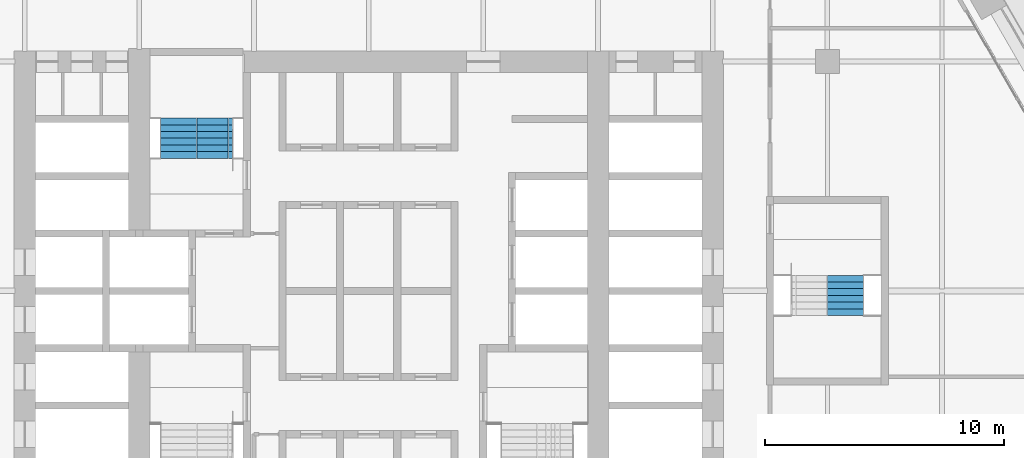
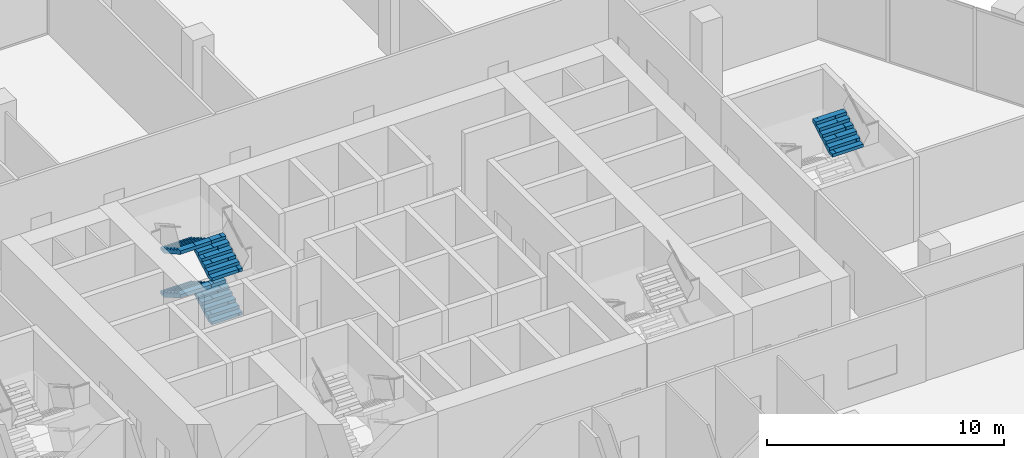
# One storey, part 20 of 22: 5 stair flights, 2 elements without a shape of their own.
"""IFC4 building model written with IfcOpenShell, lengths in metres."""

from ifc_helpers import new_model, si_unit, direction, frame, origin, place, context, subcontext, project, spatial, polyline, outline, extrude, material, type_object, element, aggregate, save


model = new_model("IFC4")

# Units and contexts
model_context = context("Model", 3, precision=1e-05, world=origin(), true_north=direction((0.0, 1.0)))
body_context = subcontext(model_context, "Body", "Model", "MODEL_VIEW")
ifc_project = project(units=[si_unit("LENGTHUNIT", "METRE"), si_unit("AREAUNIT", "SQUARE_METRE"), si_unit("VOLUMEUNIT", "CUBIC_METRE"), si_unit("PLANEANGLEUNIT", "RADIAN"), si_unit("MASSUNIT", "GRAM", prefix="KILO")], contexts=[model_context])

# Site, building, storey
site_placement = place(None, origin())
site = spatial("IfcSite", under=ifc_project, at=site_placement, CompositionType="ELEMENT")
building_placement = place(site_placement, origin())
building = spatial("IfcBuilding", under=site, at=building_placement, Name="Kolab Exchange Tower", CompositionType="ELEMENT")
storey_placement = place(building_placement, frame((0.0, 0.0, 82.39990234375)))
storey = spatial("IfcBuildingStorey", under=building, at=storey_placement, Name="L15", CompositionType="ELEMENT", Elevation=82.39990234375)

# Stair, stair flights
ifc_material = material(Name="Concrete C50/60", Category="concrete")
stair_type_1 = type_object("IfcStairType", Name="STAIR ST1 RISER 160.7", PredefinedType="DOUBLE_RETURN_STAIR", material=ifc_material)
stair_1_placement = place(storey_placement, origin())
stair_1 = element("IfcStair", 1, at=stair_1_placement, inside=storey, type_object=stair_type_1, Name="Stair 1", PredefinedType="DOUBLE_RETURN_STAIR")
stair_flight_type = type_object("IfcStairFlightType", Name="STAIR FLIGHT 1500 RISER 160.7", PredefinedType="STRAIGHT", material=ifc_material)
stair_flight_1_placement = place(storey_placement, frame((-6.43994140625, 5.550048828125, 0.0), z_axis=(0.0, 0.0, 1.0), x_axis=(0.0, 1.0, 0.0)))
stair_flight_1 = element("IfcStairFlight", 2, at=stair_flight_1_placement, type_object=stair_flight_type, Name="ST1 flight 1", NumberOfRisers=7, NumberOfTreads=6, PredefinedType="STRAIGHT", RiserHeight=0.160714286, TreadLength=0.28, context=body_context, shape_type="SweptSolid", body=[
    extrude(outline(polyline([(0.0, 0.0), (0.0, 0.16064453125), (0.280029296875, 0.16064453125), (0.280029296875, 0.321533203125), (0.56005859375, 0.321533203125), (0.56005859375, 0.482177734375), (0.840087890625, 0.482177734375), (0.840087890625, 0.642822265625), (1.1201171875, 0.642822265625), (1.1201171875, 0.803466796875), (1.39990234375, 0.803466796875), (1.39990234375, 0.96435546875), (1.679931640625, 0.96435546875), (1.679931640625, 1.125), (1.679931640625, 0.79150390625), (0.301025390625, 0.0), (0.0, 0.0)])), frame((0.0, 0.75, 0.0), z_axis=(0.0, -1.0, 0.0), x_axis=(1.0, 0.0, 0.0)), (0.0, 0.0, 1.0), 0.185791015625),
    extrude(outline(polyline([(0.0, 0.0), (0.0, 0.16064453125), (0.280029296875, 0.16064453125), (0.280029296875, 0.321533203125), (0.56005859375, 0.321533203125), (0.56005859375, 0.482177734375), (0.840087890625, 0.482177734375), (0.840087890625, 0.642822265625), (1.1201171875, 0.642822265625), (1.1201171875, 0.803466796875), (1.39990234375, 0.803466796875), (1.39990234375, 0.96435546875), (1.679931640625, 0.96435546875), (1.679931640625, 1.125), (1.679931640625, 0.79150390625), (0.301025390625, 0.0), (0.0, 0.0)])), frame((0.0, 0.562255859375, 0.0), z_axis=(0.0, -1.0, 0.0), x_axis=(1.0, 0.0, 0.0)), (0.0, 0.0, 1.0), 0.185791015625),
    extrude(outline(polyline([(0.0, 0.0), (0.0, 0.16064453125), (0.280029296875, 0.16064453125), (0.280029296875, 0.321533203125), (0.56005859375, 0.321533203125), (0.56005859375, 0.482177734375), (0.840087890625, 0.482177734375), (0.840087890625, 0.642822265625), (1.1201171875, 0.642822265625), (1.1201171875, 0.803466796875), (1.39990234375, 0.803466796875), (1.39990234375, 0.96435546875), (1.679931640625, 0.96435546875), (1.679931640625, 1.125), (1.679931640625, 0.79150390625), (0.301025390625, 0.0), (0.0, 0.0)])), frame((0.0, 0.37451171875, 0.0), z_axis=(0.0, -1.0, 0.0), x_axis=(1.0, 0.0, 0.0)), (0.0, 0.0, 1.0), 0.185791015625),
    extrude(outline(polyline([(0.0, 0.0), (0.0, 0.16064453125), (0.280029296875, 0.16064453125), (0.280029296875, 0.321533203125), (0.56005859375, 0.321533203125), (0.56005859375, 0.482177734375), (0.840087890625, 0.482177734375), (0.840087890625, 0.642822265625), (1.1201171875, 0.642822265625), (1.1201171875, 0.803466796875), (1.39990234375, 0.803466796875), (1.39990234375, 0.96435546875), (1.679931640625, 0.96435546875), (1.679931640625, 1.125), (1.679931640625, 0.79150390625), (0.301025390625, 0.0), (0.0, 0.0)])), frame((0.0, 0.186767578125, 0.0), z_axis=(0.0, -1.0, 0.0), x_axis=(1.0, 0.0, 0.0)), (0.0, 0.0, 1.0), 0.185791015625),
    extrude(outline(polyline([(0.0, 0.0), (0.0, 0.16064453125), (0.280029296875, 0.16064453125), (0.280029296875, 0.321533203125), (0.56005859375, 0.321533203125), (0.56005859375, 0.482177734375), (0.840087890625, 0.482177734375), (0.840087890625, 0.642822265625), (1.1201171875, 0.642822265625), (1.1201171875, 0.803466796875), (1.39990234375, 0.803466796875), (1.39990234375, 0.96435546875), (1.679931640625, 0.96435546875), (1.679931640625, 1.125), (1.679931640625, 0.79150390625), (0.301025390625, 0.0), (0.0, 0.0)])), frame((0.0, -0.0009765625, 0.0), z_axis=(0.0, -1.0, 0.0), x_axis=(1.0, 0.0, 0.0)), (0.0, 0.0, 1.0), 0.185791015625),
    extrude(outline(polyline([(0.0, 0.0), (0.0, 0.16064453125), (0.280029296875, 0.16064453125), (0.280029296875, 0.321533203125), (0.56005859375, 0.321533203125), (0.56005859375, 0.482177734375), (0.840087890625, 0.482177734375), (0.840087890625, 0.642822265625), (1.1201171875, 0.642822265625), (1.1201171875, 0.803466796875), (1.39990234375, 0.803466796875), (1.39990234375, 0.96435546875), (1.679931640625, 0.96435546875), (1.679931640625, 1.125), (1.679931640625, 0.79150390625), (0.301025390625, 0.0), (0.0, 0.0)])), frame((0.0, -0.188720703125, 0.0), z_axis=(0.0, -1.0, 0.0), x_axis=(1.0, 0.0, 0.0)), (0.0, 0.0, 1.0), 0.185791015625),
    extrude(outline(polyline([(0.0, 0.0), (0.0, 0.16064453125), (0.280029296875, 0.16064453125), (0.280029296875, 0.321533203125), (0.56005859375, 0.321533203125), (0.56005859375, 0.482177734375), (0.840087890625, 0.482177734375), (0.840087890625, 0.642822265625), (1.1201171875, 0.642822265625), (1.1201171875, 0.803466796875), (1.39990234375, 0.803466796875), (1.39990234375, 0.96435546875), (1.679931640625, 0.96435546875), (1.679931640625, 1.125), (1.679931640625, 0.79150390625), (0.301025390625, 0.0), (0.0, 0.0)])), frame((0.0, -0.37646484375, 0.0), z_axis=(0.0, -1.0, 0.0), x_axis=(1.0, 0.0, 0.0)), (0.0, 0.0, 1.0), 0.185791015625),
    extrude(outline(polyline([(0.0, 0.0), (0.0, 0.16064453125), (0.280029296875, 0.16064453125), (0.280029296875, 0.321533203125), (0.56005859375, 0.321533203125), (0.56005859375, 0.482177734375), (0.840087890625, 0.482177734375), (0.840087890625, 0.642822265625), (1.1201171875, 0.642822265625), (1.1201171875, 0.803466796875), (1.39990234375, 0.803466796875), (1.39990234375, 0.96435546875), (1.679931640625, 0.96435546875), (1.679931640625, 1.125), (1.679931640625, 0.79150390625), (0.301025390625, 0.0), (0.0, 0.0)])), frame((0.0, -0.564208984375, 0.0), z_axis=(0.0, -1.0, 0.0), x_axis=(1.0, 0.0, 0.0)), (0.0, 0.0, 1.0), 0.185791015625),
])
stair_flight_2_placement = place(storey_placement, frame((-7.9599609375, 7.22998046875, 1.125), z_axis=(0.0, 0.0, 1.0), x_axis=(0.0, -1.0, 0.0)))
stair_flight_2 = element("IfcStairFlight", 3, at=stair_flight_2_placement, type_object=stair_flight_type, Name="ST1 flight 2", NumberOfRisers=7, NumberOfTreads=6, PredefinedType="STRAIGHT", RiserHeight=0.160714286, TreadLength=0.28, context=body_context, shape_type="SweptSolid", body=[
    extrude(outline(polyline([(0.0, 0.0), (0.0, 0.16064453125), (0.280029296875, 0.16064453125), (0.280029296875, 0.321533203125), (0.56005859375, 0.321533203125), (0.56005859375, 0.482177734375), (0.840087890625, 0.482177734375), (0.840087890625, 0.642822265625), (1.1201171875, 0.642822265625), (1.1201171875, 0.803466796875), (1.39990234375, 0.803466796875), (1.39990234375, 0.96435546875), (1.679931640625, 0.96435546875), (1.679931640625, 1.125), (1.679931640625, 0.79150390625), (0.301025390625, 0.0), (0.0, 0.0)])), frame((0.0, 0.75, 0.0), z_axis=(0.0, -1.0, 0.0), x_axis=(1.0, 0.0, 0.0)), (0.0, 0.0, 1.0), 0.185791015625),
    extrude(outline(polyline([(0.0, 0.0), (0.0, 0.16064453125), (0.280029296875, 0.16064453125), (0.280029296875, 0.321533203125), (0.56005859375, 0.321533203125), (0.56005859375, 0.482177734375), (0.840087890625, 0.482177734375), (0.840087890625, 0.642822265625), (1.1201171875, 0.642822265625), (1.1201171875, 0.803466796875), (1.39990234375, 0.803466796875), (1.39990234375, 0.96435546875), (1.679931640625, 0.96435546875), (1.679931640625, 1.125), (1.679931640625, 0.79150390625), (0.301025390625, 0.0), (0.0, 0.0)])), frame((0.0, 0.562255859375, 0.0), z_axis=(0.0, -1.0, 0.0), x_axis=(1.0, 0.0, 0.0)), (0.0, 0.0, 1.0), 0.185791015625),
    extrude(outline(polyline([(0.0, 0.0), (0.0, 0.16064453125), (0.280029296875, 0.16064453125), (0.280029296875, 0.321533203125), (0.56005859375, 0.321533203125), (0.56005859375, 0.482177734375), (0.840087890625, 0.482177734375), (0.840087890625, 0.642822265625), (1.1201171875, 0.642822265625), (1.1201171875, 0.803466796875), (1.39990234375, 0.803466796875), (1.39990234375, 0.96435546875), (1.679931640625, 0.96435546875), (1.679931640625, 1.125), (1.679931640625, 0.79150390625), (0.301025390625, 0.0), (0.0, 0.0)])), frame((0.0, 0.37451171875, 0.0), z_axis=(0.0, -1.0, 0.0), x_axis=(1.0, 0.0, 0.0)), (0.0, 0.0, 1.0), 0.185791015625),
    extrude(outline(polyline([(0.0, 0.0), (0.0, 0.16064453125), (0.280029296875, 0.16064453125), (0.280029296875, 0.321533203125), (0.56005859375, 0.321533203125), (0.56005859375, 0.482177734375), (0.840087890625, 0.482177734375), (0.840087890625, 0.642822265625), (1.1201171875, 0.642822265625), (1.1201171875, 0.803466796875), (1.39990234375, 0.803466796875), (1.39990234375, 0.96435546875), (1.679931640625, 0.96435546875), (1.679931640625, 1.125), (1.679931640625, 0.79150390625), (0.301025390625, 0.0), (0.0, 0.0)])), frame((0.0, 0.186767578125, 0.0), z_axis=(0.0, -1.0, 0.0), x_axis=(1.0, 0.0, 0.0)), (0.0, 0.0, 1.0), 0.185791015625),
    extrude(outline(polyline([(0.0, 0.0), (0.0, 0.16064453125), (0.280029296875, 0.16064453125), (0.280029296875, 0.321533203125), (0.56005859375, 0.321533203125), (0.56005859375, 0.482177734375), (0.840087890625, 0.482177734375), (0.840087890625, 0.642822265625), (1.1201171875, 0.642822265625), (1.1201171875, 0.803466796875), (1.39990234375, 0.803466796875), (1.39990234375, 0.96435546875), (1.679931640625, 0.96435546875), (1.679931640625, 1.125), (1.679931640625, 0.79150390625), (0.301025390625, 0.0), (0.0, 0.0)])), frame((0.0, -0.0009765625, 0.0), z_axis=(0.0, -1.0, 0.0), x_axis=(1.0, 0.0, 0.0)), (0.0, 0.0, 1.0), 0.185791015625),
    extrude(outline(polyline([(0.0, 0.0), (0.0, 0.16064453125), (0.280029296875, 0.16064453125), (0.280029296875, 0.321533203125), (0.56005859375, 0.321533203125), (0.56005859375, 0.482177734375), (0.840087890625, 0.482177734375), (0.840087890625, 0.642822265625), (1.1201171875, 0.642822265625), (1.1201171875, 0.803466796875), (1.39990234375, 0.803466796875), (1.39990234375, 0.96435546875), (1.679931640625, 0.96435546875), (1.679931640625, 1.125), (1.679931640625, 0.79150390625), (0.301025390625, 0.0), (0.0, 0.0)])), frame((0.0, -0.188720703125, 0.0), z_axis=(0.0, -1.0, 0.0), x_axis=(1.0, 0.0, 0.0)), (0.0, 0.0, 1.0), 0.185791015625),
    extrude(outline(polyline([(0.0, 0.0), (0.0, 0.16064453125), (0.280029296875, 0.16064453125), (0.280029296875, 0.321533203125), (0.56005859375, 0.321533203125), (0.56005859375, 0.482177734375), (0.840087890625, 0.482177734375), (0.840087890625, 0.642822265625), (1.1201171875, 0.642822265625), (1.1201171875, 0.803466796875), (1.39990234375, 0.803466796875), (1.39990234375, 0.96435546875), (1.679931640625, 0.96435546875), (1.679931640625, 1.125), (1.679931640625, 0.79150390625), (0.301025390625, 0.0), (0.0, 0.0)])), frame((0.0, -0.37646484375, 0.0), z_axis=(0.0, -1.0, 0.0), x_axis=(1.0, 0.0, 0.0)), (0.0, 0.0, 1.0), 0.185791015625),
    extrude(outline(polyline([(0.0, 0.0), (0.0, 0.16064453125), (0.280029296875, 0.16064453125), (0.280029296875, 0.321533203125), (0.56005859375, 0.321533203125), (0.56005859375, 0.482177734375), (0.840087890625, 0.482177734375), (0.840087890625, 0.642822265625), (1.1201171875, 0.642822265625), (1.1201171875, 0.803466796875), (1.39990234375, 0.803466796875), (1.39990234375, 0.96435546875), (1.679931640625, 0.96435546875), (1.679931640625, 1.125), (1.679931640625, 0.79150390625), (0.301025390625, 0.0), (0.0, 0.0)])), frame((0.0, -0.564208984375, 0.0), z_axis=(0.0, -1.0, 0.0), x_axis=(1.0, 0.0, 0.0)), (0.0, 0.0, 1.0), 0.185791015625),
])
stair_flight_3_placement = place(storey_placement, frame((-6.43994140625, 5.550048828125, 2.25), z_axis=(0.0, 0.0, 1.0), x_axis=(0.0, 1.0, 0.0)))
stair_flight_3 = element("IfcStairFlight", 4, at=stair_flight_3_placement, type_object=stair_flight_type, Name="ST1 flight 3", NumberOfRisers=7, NumberOfTreads=6, PredefinedType="STRAIGHT", RiserHeight=0.160714286, TreadLength=0.28, context=body_context, shape_type="SweptSolid", body=[
    extrude(outline(polyline([(0.0, 0.0), (0.0, 0.16064453125), (0.280029296875, 0.16064453125), (0.280029296875, 0.321533203125), (0.56005859375, 0.321533203125), (0.56005859375, 0.482177734375), (0.840087890625, 0.482177734375), (0.840087890625, 0.642822265625), (1.1201171875, 0.642822265625), (1.1201171875, 0.803466796875), (1.39990234375, 0.803466796875), (1.39990234375, 0.96435546875), (1.679931640625, 0.96435546875), (1.679931640625, 1.125), (1.679931640625, 0.79150390625), (0.301025390625, 0.0), (0.0, 0.0)])), frame((0.0, 0.75, 0.0), z_axis=(0.0, -1.0, 0.0), x_axis=(1.0, 0.0, 0.0)), (0.0, 0.0, 1.0), 0.185791015625),
    extrude(outline(polyline([(0.0, 0.0), (0.0, 0.16064453125), (0.280029296875, 0.16064453125), (0.280029296875, 0.321533203125), (0.56005859375, 0.321533203125), (0.56005859375, 0.482177734375), (0.840087890625, 0.482177734375), (0.840087890625, 0.642822265625), (1.1201171875, 0.642822265625), (1.1201171875, 0.803466796875), (1.39990234375, 0.803466796875), (1.39990234375, 0.96435546875), (1.679931640625, 0.96435546875), (1.679931640625, 1.125), (1.679931640625, 0.79150390625), (0.301025390625, 0.0), (0.0, 0.0)])), frame((0.0, 0.562255859375, 0.0), z_axis=(0.0, -1.0, 0.0), x_axis=(1.0, 0.0, 0.0)), (0.0, 0.0, 1.0), 0.185791015625),
    extrude(outline(polyline([(0.0, 0.0), (0.0, 0.16064453125), (0.280029296875, 0.16064453125), (0.280029296875, 0.321533203125), (0.56005859375, 0.321533203125), (0.56005859375, 0.482177734375), (0.840087890625, 0.482177734375), (0.840087890625, 0.642822265625), (1.1201171875, 0.642822265625), (1.1201171875, 0.803466796875), (1.39990234375, 0.803466796875), (1.39990234375, 0.96435546875), (1.679931640625, 0.96435546875), (1.679931640625, 1.125), (1.679931640625, 0.79150390625), (0.301025390625, 0.0), (0.0, 0.0)])), frame((0.0, 0.37451171875, 0.0), z_axis=(0.0, -1.0, 0.0), x_axis=(1.0, 0.0, 0.0)), (0.0, 0.0, 1.0), 0.185791015625),
    extrude(outline(polyline([(0.0, 0.0), (0.0, 0.16064453125), (0.280029296875, 0.16064453125), (0.280029296875, 0.321533203125), (0.56005859375, 0.321533203125), (0.56005859375, 0.482177734375), (0.840087890625, 0.482177734375), (0.840087890625, 0.642822265625), (1.1201171875, 0.642822265625), (1.1201171875, 0.803466796875), (1.39990234375, 0.803466796875), (1.39990234375, 0.96435546875), (1.679931640625, 0.96435546875), (1.679931640625, 1.125), (1.679931640625, 0.79150390625), (0.301025390625, 0.0), (0.0, 0.0)])), frame((0.0, 0.186767578125, 0.0), z_axis=(0.0, -1.0, 0.0), x_axis=(1.0, 0.0, 0.0)), (0.0, 0.0, 1.0), 0.185791015625),
    extrude(outline(polyline([(0.0, 0.0), (0.0, 0.16064453125), (0.280029296875, 0.16064453125), (0.280029296875, 0.321533203125), (0.56005859375, 0.321533203125), (0.56005859375, 0.482177734375), (0.840087890625, 0.482177734375), (0.840087890625, 0.642822265625), (1.1201171875, 0.642822265625), (1.1201171875, 0.803466796875), (1.39990234375, 0.803466796875), (1.39990234375, 0.96435546875), (1.679931640625, 0.96435546875), (1.679931640625, 1.125), (1.679931640625, 0.79150390625), (0.301025390625, 0.0), (0.0, 0.0)])), frame((0.0, -0.0009765625, 0.0), z_axis=(0.0, -1.0, 0.0), x_axis=(1.0, 0.0, 0.0)), (0.0, 0.0, 1.0), 0.185791015625),
    extrude(outline(polyline([(0.0, 0.0), (0.0, 0.16064453125), (0.280029296875, 0.16064453125), (0.280029296875, 0.321533203125), (0.56005859375, 0.321533203125), (0.56005859375, 0.482177734375), (0.840087890625, 0.482177734375), (0.840087890625, 0.642822265625), (1.1201171875, 0.642822265625), (1.1201171875, 0.803466796875), (1.39990234375, 0.803466796875), (1.39990234375, 0.96435546875), (1.679931640625, 0.96435546875), (1.679931640625, 1.125), (1.679931640625, 0.79150390625), (0.301025390625, 0.0), (0.0, 0.0)])), frame((0.0, -0.188720703125, 0.0), z_axis=(0.0, -1.0, 0.0), x_axis=(1.0, 0.0, 0.0)), (0.0, 0.0, 1.0), 0.185791015625),
    extrude(outline(polyline([(0.0, 0.0), (0.0, 0.16064453125), (0.280029296875, 0.16064453125), (0.280029296875, 0.321533203125), (0.56005859375, 0.321533203125), (0.56005859375, 0.482177734375), (0.840087890625, 0.482177734375), (0.840087890625, 0.642822265625), (1.1201171875, 0.642822265625), (1.1201171875, 0.803466796875), (1.39990234375, 0.803466796875), (1.39990234375, 0.96435546875), (1.679931640625, 0.96435546875), (1.679931640625, 1.125), (1.679931640625, 0.79150390625), (0.301025390625, 0.0), (0.0, 0.0)])), frame((0.0, -0.37646484375, 0.0), z_axis=(0.0, -1.0, 0.0), x_axis=(1.0, 0.0, 0.0)), (0.0, 0.0, 1.0), 0.185791015625),
    extrude(outline(polyline([(0.0, 0.0), (0.0, 0.16064453125), (0.280029296875, 0.16064453125), (0.280029296875, 0.321533203125), (0.56005859375, 0.321533203125), (0.56005859375, 0.482177734375), (0.840087890625, 0.482177734375), (0.840087890625, 0.642822265625), (1.1201171875, 0.642822265625), (1.1201171875, 0.803466796875), (1.39990234375, 0.803466796875), (1.39990234375, 0.96435546875), (1.679931640625, 0.96435546875), (1.679931640625, 1.125), (1.679931640625, 0.79150390625), (0.301025390625, 0.0), (0.0, 0.0)])), frame((0.0, -0.564208984375, 0.0), z_axis=(0.0, -1.0, 0.0), x_axis=(1.0, 0.0, 0.0)), (0.0, 0.0, 1.0), 0.185791015625),
])
stair_flight_4_placement = place(storey_placement, frame((-7.9599609375, 7.22998046875, 3.375), z_axis=(0.0, 0.0, 1.0), x_axis=(0.0, -1.0, 0.0)))
stair_flight_4 = element("IfcStairFlight", 5, at=stair_flight_4_placement, type_object=stair_flight_type, Name="ST1 flight 4", NumberOfRisers=7, NumberOfTreads=6, PredefinedType="STRAIGHT", RiserHeight=0.160714286, TreadLength=0.28, context=body_context, shape_type="SweptSolid", body=[
    extrude(outline(polyline([(0.0, 0.0), (0.0, 0.16064453125), (0.280029296875, 0.16064453125), (0.280029296875, 0.321533203125), (0.56005859375, 0.321533203125), (0.56005859375, 0.482177734375), (0.840087890625, 0.482177734375), (0.840087890625, 0.642822265625), (1.1201171875, 0.642822265625), (1.1201171875, 0.803466796875), (1.39990234375, 0.803466796875), (1.39990234375, 0.96435546875), (1.679931640625, 0.96435546875), (1.679931640625, 1.125), (1.679931640625, 0.79150390625), (0.301025390625, 0.0), (0.0, 0.0)])), frame((0.0, 0.75, 0.0), z_axis=(0.0, -1.0, 0.0), x_axis=(1.0, 0.0, 0.0)), (0.0, 0.0, 1.0), 0.185791015625),
    extrude(outline(polyline([(0.0, 0.0), (0.0, 0.16064453125), (0.280029296875, 0.16064453125), (0.280029296875, 0.321533203125), (0.56005859375, 0.321533203125), (0.56005859375, 0.482177734375), (0.840087890625, 0.482177734375), (0.840087890625, 0.642822265625), (1.1201171875, 0.642822265625), (1.1201171875, 0.803466796875), (1.39990234375, 0.803466796875), (1.39990234375, 0.96435546875), (1.679931640625, 0.96435546875), (1.679931640625, 1.125), (1.679931640625, 0.79150390625), (0.301025390625, 0.0), (0.0, 0.0)])), frame((0.0, 0.562255859375, 0.0), z_axis=(0.0, -1.0, 0.0), x_axis=(1.0, 0.0, 0.0)), (0.0, 0.0, 1.0), 0.185791015625),
    extrude(outline(polyline([(0.0, 0.0), (0.0, 0.16064453125), (0.280029296875, 0.16064453125), (0.280029296875, 0.321533203125), (0.56005859375, 0.321533203125), (0.56005859375, 0.482177734375), (0.840087890625, 0.482177734375), (0.840087890625, 0.642822265625), (1.1201171875, 0.642822265625), (1.1201171875, 0.803466796875), (1.39990234375, 0.803466796875), (1.39990234375, 0.96435546875), (1.679931640625, 0.96435546875), (1.679931640625, 1.125), (1.679931640625, 0.79150390625), (0.301025390625, 0.0), (0.0, 0.0)])), frame((0.0, 0.37451171875, 0.0), z_axis=(0.0, -1.0, 0.0), x_axis=(1.0, 0.0, 0.0)), (0.0, 0.0, 1.0), 0.185791015625),
    extrude(outline(polyline([(0.0, 0.0), (0.0, 0.16064453125), (0.280029296875, 0.16064453125), (0.280029296875, 0.321533203125), (0.56005859375, 0.321533203125), (0.56005859375, 0.482177734375), (0.840087890625, 0.482177734375), (0.840087890625, 0.642822265625), (1.1201171875, 0.642822265625), (1.1201171875, 0.803466796875), (1.39990234375, 0.803466796875), (1.39990234375, 0.96435546875), (1.679931640625, 0.96435546875), (1.679931640625, 1.125), (1.679931640625, 0.79150390625), (0.301025390625, 0.0), (0.0, 0.0)])), frame((0.0, 0.186767578125, 0.0), z_axis=(0.0, -1.0, 0.0), x_axis=(1.0, 0.0, 0.0)), (0.0, 0.0, 1.0), 0.185791015625),
    extrude(outline(polyline([(0.0, 0.0), (0.0, 0.16064453125), (0.280029296875, 0.16064453125), (0.280029296875, 0.321533203125), (0.56005859375, 0.321533203125), (0.56005859375, 0.482177734375), (0.840087890625, 0.482177734375), (0.840087890625, 0.642822265625), (1.1201171875, 0.642822265625), (1.1201171875, 0.803466796875), (1.39990234375, 0.803466796875), (1.39990234375, 0.96435546875), (1.679931640625, 0.96435546875), (1.679931640625, 1.125), (1.679931640625, 0.79150390625), (0.301025390625, 0.0), (0.0, 0.0)])), frame((0.0, -0.0009765625, 0.0), z_axis=(0.0, -1.0, 0.0), x_axis=(1.0, 0.0, 0.0)), (0.0, 0.0, 1.0), 0.185791015625),
    extrude(outline(polyline([(0.0, 0.0), (0.0, 0.16064453125), (0.280029296875, 0.16064453125), (0.280029296875, 0.321533203125), (0.56005859375, 0.321533203125), (0.56005859375, 0.482177734375), (0.840087890625, 0.482177734375), (0.840087890625, 0.642822265625), (1.1201171875, 0.642822265625), (1.1201171875, 0.803466796875), (1.39990234375, 0.803466796875), (1.39990234375, 0.96435546875), (1.679931640625, 0.96435546875), (1.679931640625, 1.125), (1.679931640625, 0.79150390625), (0.301025390625, 0.0), (0.0, 0.0)])), frame((0.0, -0.188720703125, 0.0), z_axis=(0.0, -1.0, 0.0), x_axis=(1.0, 0.0, 0.0)), (0.0, 0.0, 1.0), 0.185791015625),
    extrude(outline(polyline([(0.0, 0.0), (0.0, 0.16064453125), (0.280029296875, 0.16064453125), (0.280029296875, 0.321533203125), (0.56005859375, 0.321533203125), (0.56005859375, 0.482177734375), (0.840087890625, 0.482177734375), (0.840087890625, 0.642822265625), (1.1201171875, 0.642822265625), (1.1201171875, 0.803466796875), (1.39990234375, 0.803466796875), (1.39990234375, 0.96435546875), (1.679931640625, 0.96435546875), (1.679931640625, 1.125), (1.679931640625, 0.79150390625), (0.301025390625, 0.0), (0.0, 0.0)])), frame((0.0, -0.37646484375, 0.0), z_axis=(0.0, -1.0, 0.0), x_axis=(1.0, 0.0, 0.0)), (0.0, 0.0, 1.0), 0.185791015625),
    extrude(outline(polyline([(0.0, 0.0), (0.0, 0.16064453125), (0.280029296875, 0.16064453125), (0.280029296875, 0.321533203125), (0.56005859375, 0.321533203125), (0.56005859375, 0.482177734375), (0.840087890625, 0.482177734375), (0.840087890625, 0.642822265625), (1.1201171875, 0.642822265625), (1.1201171875, 0.803466796875), (1.39990234375, 0.803466796875), (1.39990234375, 0.96435546875), (1.679931640625, 0.96435546875), (1.679931640625, 1.125), (1.679931640625, 0.79150390625), (0.301025390625, 0.0), (0.0, 0.0)])), frame((0.0, -0.564208984375, 0.0), z_axis=(0.0, -1.0, 0.0), x_axis=(1.0, 0.0, 0.0)), (0.0, 0.0, 1.0), 0.185791015625),
])
aggregate(stair_1, [stair_flight_1, stair_flight_2, stair_flight_3, stair_flight_4])

# Stair, stair flight
stair_type_2 = type_object("IfcStairType", Name="STAIR ST4 RISER 160.7", PredefinedType="DOUBLE_RETURN_STAIR", material=ifc_material)
stair_2_placement = place(storey_placement, origin())
stair_2 = element("IfcStair", 6, at=stair_2_placement, inside=storey, type_object=stair_type_2, Name="Stair 4", PredefinedType="DOUBLE_RETURN_STAIR")
stair_flight_5_placement = place(storey_placement, frame((19.9599609375, -1.030029296875, 3.375), z_axis=(0.0, 0.0, 1.0), x_axis=(0.0, 1.0, 0.0)))
stair_flight_5 = element("IfcStairFlight", 7, at=stair_flight_5_placement, type_object=stair_flight_type, Name="ST4 flight 4", NumberOfRisers=7, NumberOfTreads=6, PredefinedType="STRAIGHT", RiserHeight=0.160714286, TreadLength=0.28, context=body_context, shape_type="SweptSolid", body=[
    extrude(outline(polyline([(0.0, 0.0), (0.0, 0.16064453125), (0.280029296875, 0.16064453125), (0.280029296875, 0.321533203125), (0.56005859375, 0.321533203125), (0.56005859375, 0.482177734375), (0.840087890625, 0.482177734375), (0.840087890625, 0.642822265625), (1.1201171875, 0.642822265625), (1.1201171875, 0.803466796875), (1.39990234375, 0.803466796875), (1.39990234375, 0.96435546875), (1.679931640625, 0.96435546875), (1.679931640625, 1.125), (1.679931640625, 0.79150390625), (0.301025390625, 0.0), (0.0, 0.0)])), frame((0.0, 0.75, 0.0), z_axis=(0.0, -1.0, 0.0), x_axis=(1.0, 0.0, 0.0)), (0.0, 0.0, 1.0), 0.185791015625),
    extrude(outline(polyline([(0.0, 0.0), (0.0, 0.16064453125), (0.280029296875, 0.16064453125), (0.280029296875, 0.321533203125), (0.56005859375, 0.321533203125), (0.56005859375, 0.482177734375), (0.840087890625, 0.482177734375), (0.840087890625, 0.642822265625), (1.1201171875, 0.642822265625), (1.1201171875, 0.803466796875), (1.39990234375, 0.803466796875), (1.39990234375, 0.96435546875), (1.679931640625, 0.96435546875), (1.679931640625, 1.125), (1.679931640625, 0.79150390625), (0.301025390625, 0.0), (0.0, 0.0)])), frame((0.0, 0.562255859375, 0.0), z_axis=(0.0, -1.0, 0.0), x_axis=(1.0, 0.0, 0.0)), (0.0, 0.0, 1.0), 0.185791015625),
    extrude(outline(polyline([(0.0, 0.0), (0.0, 0.16064453125), (0.280029296875, 0.16064453125), (0.280029296875, 0.321533203125), (0.56005859375, 0.321533203125), (0.56005859375, 0.482177734375), (0.840087890625, 0.482177734375), (0.840087890625, 0.642822265625), (1.1201171875, 0.642822265625), (1.1201171875, 0.803466796875), (1.39990234375, 0.803466796875), (1.39990234375, 0.96435546875), (1.679931640625, 0.96435546875), (1.679931640625, 1.125), (1.679931640625, 0.79150390625), (0.301025390625, 0.0), (0.0, 0.0)])), frame((0.0, 0.37451171875, 0.0), z_axis=(0.0, -1.0, 0.0), x_axis=(1.0, 0.0, 0.0)), (0.0, 0.0, 1.0), 0.185791015625),
    extrude(outline(polyline([(0.0, 0.0), (0.0, 0.16064453125), (0.280029296875, 0.16064453125), (0.280029296875, 0.321533203125), (0.56005859375, 0.321533203125), (0.56005859375, 0.482177734375), (0.840087890625, 0.482177734375), (0.840087890625, 0.642822265625), (1.1201171875, 0.642822265625), (1.1201171875, 0.803466796875), (1.39990234375, 0.803466796875), (1.39990234375, 0.96435546875), (1.679931640625, 0.96435546875), (1.679931640625, 1.125), (1.679931640625, 0.79150390625), (0.301025390625, 0.0), (0.0, 0.0)])), frame((0.0, 0.186767578125, 0.0), z_axis=(0.0, -1.0, 0.0), x_axis=(1.0, 0.0, 0.0)), (0.0, 0.0, 1.0), 0.185791015625),
    extrude(outline(polyline([(0.0, 0.0), (0.0, 0.16064453125), (0.280029296875, 0.16064453125), (0.280029296875, 0.321533203125), (0.56005859375, 0.321533203125), (0.56005859375, 0.482177734375), (0.840087890625, 0.482177734375), (0.840087890625, 0.642822265625), (1.1201171875, 0.642822265625), (1.1201171875, 0.803466796875), (1.39990234375, 0.803466796875), (1.39990234375, 0.96435546875), (1.679931640625, 0.96435546875), (1.679931640625, 1.125), (1.679931640625, 0.79150390625), (0.301025390625, 0.0), (0.0, 0.0)])), frame((0.0, -0.0009765625, 0.0), z_axis=(0.0, -1.0, 0.0), x_axis=(1.0, 0.0, 0.0)), (0.0, 0.0, 1.0), 0.185791015625),
    extrude(outline(polyline([(0.0, 0.0), (0.0, 0.16064453125), (0.280029296875, 0.16064453125), (0.280029296875, 0.321533203125), (0.56005859375, 0.321533203125), (0.56005859375, 0.482177734375), (0.840087890625, 0.482177734375), (0.840087890625, 0.642822265625), (1.1201171875, 0.642822265625), (1.1201171875, 0.803466796875), (1.39990234375, 0.803466796875), (1.39990234375, 0.96435546875), (1.679931640625, 0.96435546875), (1.679931640625, 1.125), (1.679931640625, 0.79150390625), (0.301025390625, 0.0), (0.0, 0.0)])), frame((0.0, -0.188720703125, 0.0), z_axis=(0.0, -1.0, 0.0), x_axis=(1.0, 0.0, 0.0)), (0.0, 0.0, 1.0), 0.185791015625),
    extrude(outline(polyline([(0.0, 0.0), (0.0, 0.16064453125), (0.280029296875, 0.16064453125), (0.280029296875, 0.321533203125), (0.56005859375, 0.321533203125), (0.56005859375, 0.482177734375), (0.840087890625, 0.482177734375), (0.840087890625, 0.642822265625), (1.1201171875, 0.642822265625), (1.1201171875, 0.803466796875), (1.39990234375, 0.803466796875), (1.39990234375, 0.96435546875), (1.679931640625, 0.96435546875), (1.679931640625, 1.125), (1.679931640625, 0.79150390625), (0.301025390625, 0.0), (0.0, 0.0)])), frame((0.0, -0.37646484375, 0.0), z_axis=(0.0, -1.0, 0.0), x_axis=(1.0, 0.0, 0.0)), (0.0, 0.0, 1.0), 0.185791015625),
    extrude(outline(polyline([(0.0, 0.0), (0.0, 0.16064453125), (0.280029296875, 0.16064453125), (0.280029296875, 0.321533203125), (0.56005859375, 0.321533203125), (0.56005859375, 0.482177734375), (0.840087890625, 0.482177734375), (0.840087890625, 0.642822265625), (1.1201171875, 0.642822265625), (1.1201171875, 0.803466796875), (1.39990234375, 0.803466796875), (1.39990234375, 0.96435546875), (1.679931640625, 0.96435546875), (1.679931640625, 1.125), (1.679931640625, 0.79150390625), (0.301025390625, 0.0), (0.0, 0.0)])), frame((0.0, -0.564208984375, 0.0), z_axis=(0.0, -1.0, 0.0), x_axis=(1.0, 0.0, 0.0)), (0.0, 0.0, 1.0), 0.185791015625),
])
aggregate(stair_2, [stair_flight_5])

save(model, "model.ifc")
